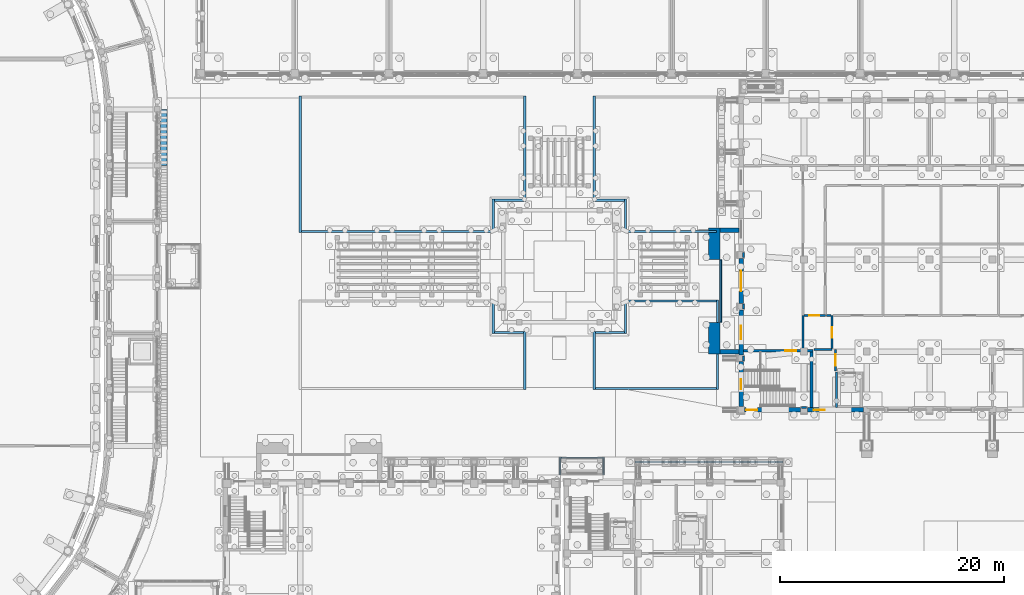
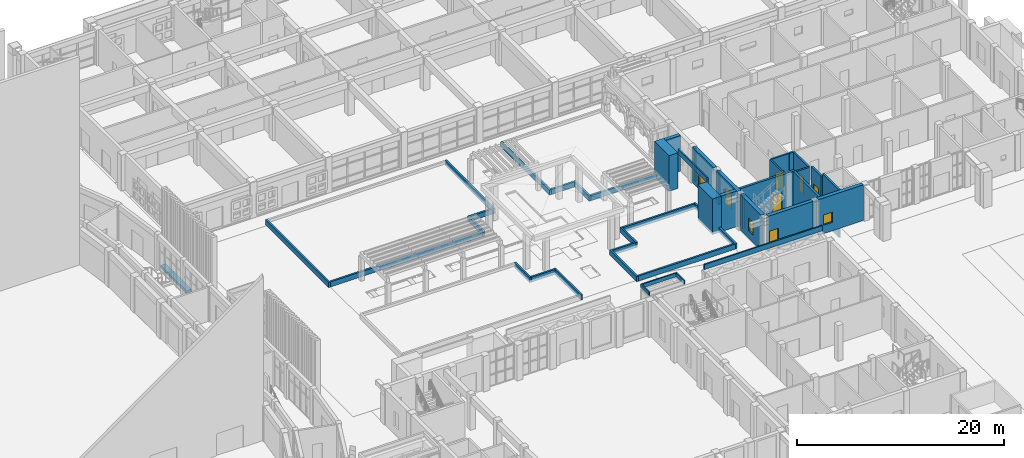
# One storey, part 67 of 112: 48 walls, 6 doors, 3 windows, 9 openings.
"""IFC4 building model written with IfcOpenShell, lengths in metres."""

from ifc_helpers import new_model, si_unit, direction, frame, frame_2d, origin, place, context, subcontext, project, spatial, rectangle, extrude, material, layer, layer_set, type_object, element, fill, save


model = new_model("IFC4")

# Units and contexts
model_context = context("Model", 3, precision=1e-05, world=origin(), true_north=direction((0.0, 1.0)))
body_context = subcontext(model_context, "Body", "Model", "MODEL_VIEW")
ifc_project = project(units=[si_unit("LENGTHUNIT", "METRE"), si_unit("AREAUNIT", "SQUARE_METRE"), si_unit("VOLUMEUNIT", "CUBIC_METRE"), si_unit("PLANEANGLEUNIT", "RADIAN"), si_unit("MASSUNIT", "GRAM", prefix="KILO")], contexts=[model_context])

# Site, building, storey
site_placement = place(None, origin())
site = spatial("IfcSite", under=ifc_project, at=site_placement, CompositionType="ELEMENT")
building_placement = place(site_placement, origin())
building = spatial("IfcBuilding", under=site, at=building_placement, Name="Wasatch Bagh Community Centre", CompositionType="ELEMENT")
storey_placement = place(building_placement, origin())
storey = spatial("IfcBuildingStorey", under=building, at=storey_placement, Name="L00", CompositionType="ELEMENT", Elevation=0.0)

# Walls
ifc_material_1 = material(Name="Concrete C35", Category="concrete")
ifc_layer_1 = layer(ifc_material_1, 0.14990234375)
ifc_layer_set_1 = layer_set([ifc_layer_1], Name="Concrete C35")
wall_type_1 = type_object("IfcWallType", Name="CL-W2", PredefinedType="PARAPET", material=ifc_layer_set_1)
wall_1_placement = place(storey_placement, frame((102.77490234375, 33.550048828125, 4.050048828125), z_axis=(0.0, 0.0, 1.0), x_axis=(1.0, 0.0, 0.0)))
element("IfcWall", 1, at=wall_1_placement, inside=storey, type_object=wall_type_1, Name="CL-W2 arcade parapet KW 1", PredefinedType="PARAPET", context=body_context, shape_type="SweptSolid", body=[
    extrude(rectangle(XDim=13.150146484375, YDim=0.14990234375, at=frame_2d((6.5751953125, 0.0))), origin(), (0.0, 0.0, 1.0), 0.599853515625),
])
wall_2_placement = place(storey_placement, frame((110.375, 46.0, 4.050048828125), z_axis=(0.0, 0.0, 1.0), x_axis=(0.0, 1.0, 0.0)))
element("IfcWall", 2, at=wall_2_placement, inside=storey, type_object=wall_type_1, Name="CL-W2 porch parapet", PredefinedType="PARAPET", context=body_context, shape_type="SweptSolid", body=[
    extrude(rectangle(XDim=5.60009765625, YDim=0.14990234375, at=frame_2d((2.800048828125, 0.0))), origin(), (0.0, 0.0, 1.0), 0.599853515625),
])
ifc_material_2 = material(Name="Concrete C35 faced in red sandstone", Category="masonry")
ifc_layer_2 = layer(ifc_material_2, 0.669921875)
ifc_layer_set_2 = layer_set([ifc_layer_2], Name="Concrete C35 faced in red sandstone")
wall_type_2 = type_object("IfcWallType", Name="Drum sandstone plinth", PredefinedType="STANDARD", material=ifc_layer_set_2)
wall_3_placement = place(storey_placement, frame((60.719970703125, 60.0, 0.0), z_axis=(0.0, 0.0, 1.0), x_axis=(0.0, 1.0, 0.0)))
element("IfcWall", 3, at=wall_3_placement, inside=storey, type_object=wall_type_2, Name="Sandstone plinth 18", PredefinedType="STANDARD", context=body_context, shape_type="SweptSolid", body=[
    extrude(rectangle(XDim=5.0, YDim=0.56005859375, at=frame_2d((2.5, 0.0))), origin(), (0.0, 0.0, 1.0), 0.300048828125),
])
ifc_layer_3 = layer(ifc_material_1, 0.1298828125)
ifc_layer_set_3 = layer_set([ifc_layer_3], Name="Concrete C35")
wall_type_3 = type_object("IfcWallType", Name="PA-W2", PredefinedType="PARAPET", material=ifc_layer_set_3)
for number, where, z_axis, x_axis, name in (
    (4, (96.06494140625, 32.39990234375, 4.0), (0.0, 0.0, 1.0), (0.0, 1.0, 0.0), "PA-W2 roof parapet PA4.1"),
    (5, (99.93505859375, 32.39990234375, 4.0), (0.0, 0.0, 1.0), (0.0, 1.0, 0.0), "PA-W2 roof parapet PA4.2"),
):
    element("IfcWall", number, at=place(storey_placement, frame(where, z_axis=z_axis, x_axis=x_axis)), inside=storey, type_object=wall_type_3, Name=name, PredefinedType="PARAPET", context=body_context, shape_type="SweptSolid", body=[
        extrude(rectangle(XDim=1.60009765625, YDim=0.1298828125, at=frame_2d((0.800048828125, 0.0))), origin(), (0.0, 0.0, 1.0), 0.449951171875),
    ])
wall_4_placement = place(storey_placement, frame((96.1298828125, 33.93505859375, 4.0), z_axis=(0.0, 0.0, 1.0), x_axis=(1.0, 0.0, 0.0)))
element("IfcWall", 6, at=wall_4_placement, inside=storey, type_object=wall_type_3, Name="PA-W2 roof parapet PA4.4", PredefinedType="PARAPET", context=body_context, shape_type="SweptSolid", body=[
    extrude(rectangle(XDim=3.740234375, YDim=0.1298828125, at=frame_2d((1.8701171875, 0.0))), origin(), (0.0, 0.0, 1.0), 0.449951171875),
])
ifc_material_3 = material(Name="Concrete C40", Category="concrete")
ifc_layer_4 = layer(ifc_material_3, 0.199951171875)
ifc_layer_set_4 = layer_set([ifc_layer_4], Name="Concrete C40")
wall_type_4 = type_object("IfcWallType", Name="SH RC WALL 200 shear", PredefinedType="SHEAR", material=ifc_layer_set_4)
wall_5_placement = place(storey_placement, frame((120.699951171875, 38.39990234375, 0.0), z_axis=(0.0, 0.0, 1.0), x_axis=(0.0, 1.0, 0.0)))
element("IfcWall", 7, at=wall_5_placement, inside=storey, type_object=wall_type_4, Name="SH.core.LF1.L00.W", PredefinedType="SHEAR", context=body_context, shape_type="SweptSolid", body=[
    extrude(rectangle(XDim=3.2001953125, YDim=0.199951171875, at=frame_2d((1.60009765625, 0.0))), origin(), (0.0, 0.0, 1.0), 4.199951171875),
])
wall_6_placement = place(storey_placement, frame((120.699951171875, 38.39990234375, -1.39990234375), z_axis=(0.0, 0.0, 1.0), x_axis=(0.0, 1.0, 0.0)))
element("IfcWall", 8, at=wall_6_placement, inside=storey, type_object=wall_type_4, Name="SH.core.LF1.PIT.W", PredefinedType="SHEAR", context=body_context, shape_type="SweptSolid", body=[
    extrude(rectangle(XDim=3.2001953125, YDim=0.199951171875, at=frame_2d((1.60009765625, 0.0))), origin(), (0.0, 0.0, 1.0), 1.39990234375),
])
ifc_layer_5 = layer(ifc_material_3, 0.25)
ifc_layer_set_5 = layer_set([ifc_layer_5], Name="Concrete C40")
wall_type_5 = type_object("IfcWallType", Name="SH RC WALL 250 shear", PredefinedType="SHEAR", material=ifc_layer_set_5)
wall_7_placement = place(storey_placement, frame((118.47509765625, 38.39990234375, 0.0), z_axis=(0.0, 0.0, 1.0), x_axis=(0.0, 1.0, 0.0)))
element("IfcWall", 9, at=wall_7_placement, inside=storey, type_object=wall_type_5, Name="SH.core.ST1.L00.E", PredefinedType="SHEAR", context=body_context, shape_type="SweptSolid", body=[
    extrude(rectangle(XDim=4.9501953125, YDim=0.25, at=frame_2d((2.47509765625, 0.0))), origin(), (0.0, 0.0, 1.0), 4.199951171875),
])

# Wall, opening, door
wall_8_placement = place(storey_placement, frame((112.39990234375, 43.47509765625, 0.0), z_axis=(0.0, 0.0, 1.0), x_axis=(1.0, 0.0, 0.0)))
wall_8 = element("IfcWall", 10, at=wall_8_placement, inside=storey, type_object=wall_type_5, Name="SH.core.ST1.L00.N", PredefinedType="SHEAR", context=body_context, shape_type="SweptSolid", body=[
    extrude(rectangle(XDim=6.2001953125, YDim=0.25, at=frame_2d((3.10009765625, 0.0))), origin(), (0.0, 0.0, 1.0), 4.199951171875),
])
opening_1_placement = place(wall_8_placement, frame((3.71435546875, 0.0, 0.0)))
opening_1 = element("IfcOpeningElement", 11, at=opening_1_placement, cuts=wall_8, Name="Opening 0S-13", PredefinedType="OPENING", context=body_context, shape_type="SweptSolid", body=[
    extrude(rectangle(XDim=1.0, YDim=2.10009765625, at=frame_2d((0.5, 1.050048828125))), frame((0.0, 0.135009765625, 0.0), z_axis=(0.0, -1.0, 0.0), x_axis=(1.0, 0.0, 0.0)), (0.0, 0.0, 1.0), 0.27001953125),
])
ifc_material_4 = material(Name="Painted hardwood timber", Category="wood")
door_type_1 = type_object("IfcDoorType", Name="SH door 1000x2100 single", OperationType="SINGLE_SWING_LEFT", PredefinedType="DOOR", material=ifc_material_4)
door_1_placement = place(opening_1_placement, origin())
door_1 = element("IfcDoor", 12, at=door_1_placement, inside=storey, type_object=door_type_1, Name="SH.door.L00.0S-13", OperationType="SINGLE_SWING_LEFT", OverallHeight=2.10009765625, OverallWidth=1.0, PredefinedType="DOOR", context=body_context, shape_type="SweptSolid", body=[
    extrude(rectangle(XDim=1.0, YDim=2.10009765625, at=frame_2d((0.5, 1.050048828125))), frame((0.0, 0.02490234375, 0.0), z_axis=(0.0, -1.0, 0.0), x_axis=(1.0, 0.0, 0.0)), (0.0, 0.0, 1.0), 0.050048828125),
])
fill(opening_1, door_1)

ifc_layer_6 = layer(ifc_material_3, 0.39990234375)
ifc_layer_set_6 = layer_set([ifc_layer_6], Name="Concrete C40")
wall_type_6 = type_object("IfcWallType", Name="SH RC WALL 400 solidwall", PredefinedType="SOLIDWALL", material=ifc_layer_set_6)
wall_9_placement = place(storey_placement, frame((117.5, 38.199951171875, 0.0), z_axis=(0.0, 0.0, 1.0), x_axis=(-1.0, 0.0, 0.0)))
wall_9 = element("IfcWall", 13, at=wall_9_placement, inside=storey, type_object=wall_type_6, Name="SH.wall.L00.01", PredefinedType="SOLIDWALL", context=body_context, shape_type="SweptSolid", body=[
    extrude(rectangle(XDim=5.0, YDim=0.39990234375, at=frame_2d((2.5, 0.0))), origin(), (0.0, 0.0, 1.0), 4.199951171875),
])
opening_2_placement = place(wall_9_placement, frame((3.85009765625, 0.0, 0.0)))
opening_2 = element("IfcOpeningElement", 14, at=opening_2_placement, cuts=wall_9, Name="Opening 0S-03", PredefinedType="OPENING", context=body_context, shape_type="SweptSolid", body=[
    extrude(rectangle(XDim=1.0, YDim=2.39990234375, at=frame_2d((0.5, 1.199951171875))), frame((0.0, 0.2099609375, 0.0), z_axis=(0.0, -1.0, 0.0), x_axis=(1.0, 0.0, 0.0)), (0.0, 0.0, 1.0), 0.419921875),
])
door_type_2 = type_object("IfcDoorType", Name="SH door 1000x2400 single", OperationType="SINGLE_SWING_LEFT", PredefinedType="DOOR", material=ifc_material_4)
door_2_placement = place(opening_2_placement, origin())
door_2 = element("IfcDoor", 15, at=door_2_placement, inside=storey, type_object=door_type_2, Name="SH.door.L00.0S-03", OperationType="SINGLE_SWING_LEFT", OverallHeight=2.39990234375, OverallWidth=1.0, PredefinedType="DOOR", context=body_context, shape_type="SweptSolid", body=[
    extrude(rectangle(XDim=1.0, YDim=2.39990234375, at=frame_2d((0.5, 1.199951171875))), frame((0.0, 0.02490234375, 0.0), z_axis=(0.0, -1.0, 0.0), x_axis=(1.0, 0.0, 0.0)), (0.0, 0.0, 1.0), 0.050048828125),
])
fill(opening_2, door_2)

# Wall, opening, window
wall_10_placement = place(storey_placement, frame((123.10009765625, 38.199951171875, 0.0), z_axis=(0.0, 0.0, 1.0), x_axis=(-1.0, 0.0, 0.0)))
wall_10 = element("IfcWall", 16, at=wall_10_placement, inside=storey, type_object=wall_type_6, Name="SH.wall.L00.02", PredefinedType="SOLIDWALL", context=body_context, shape_type="SweptSolid", body=[
    extrude(rectangle(XDim=5.0, YDim=0.39990234375, at=frame_2d((2.5, 0.0))), origin(), (0.0, 0.0, 1.0), 4.199951171875),
])
opening_3_placement = place(wall_10_placement, frame((3.449951171875, 0.0, 1.0)))
opening_3 = element("IfcOpeningElement", 17, at=opening_3_placement, cuts=wall_10, Name="Opening 0S-W06", PredefinedType="OPENING", context=body_context, shape_type="SweptSolid", body=[
    extrude(rectangle(XDim=1.0, YDim=1.199951171875, at=frame_2d((0.5, 0.60009765625))), frame((0.0, 0.2099609375, 0.0), z_axis=(0.0, -1.0, 0.0), x_axis=(1.0, 0.0, 0.0)), (0.0, 0.0, 1.0), 0.419921875),
])
ifc_material_5 = material(Name="Aluminium frame with double glazing", Category="aluminium")
window_type_1 = type_object("IfcWindowType", Name="SH window 1000x1200", PartitioningType="SINGLE_PANEL", PredefinedType="WINDOW", material=ifc_material_5)
window_1_placement = place(opening_3_placement, origin())
window_1 = element("IfcWindow", 18, at=window_1_placement, inside=storey, type_object=window_type_1, Name="SH.window.L00.0S-W06", OverallHeight=1.199951171875, OverallWidth=1.0, PartitioningType="SINGLE_PANEL", PredefinedType="WINDOW", context=body_context, shape_type="SweptSolid", body=[
    extrude(rectangle(XDim=1.0, YDim=1.199951171875, at=frame_2d((0.5, 0.60009765625))), frame((0.0, 0.030029296875, 0.0), z_axis=(0.0, -1.0, 0.0), x_axis=(1.0, 0.0, 0.0)), (0.0, 0.0, 1.0), 0.06005859375),
])
fill(opening_3, window_1)

wall_11_placement = place(storey_placement, frame((112.199951171875, 38.5, 0.0), z_axis=(0.0, 0.0, 1.0), x_axis=(0.0, 1.0, 0.0)))
wall_11 = element("IfcWall", 19, at=wall_11_placement, inside=storey, type_object=wall_type_6, Name="SH.wall.L00.13", PredefinedType="SOLIDWALL", context=body_context, shape_type="SweptSolid", body=[
    extrude(rectangle(XDim=4.0, YDim=0.39990234375, at=frame_2d((2.0, 0.0))), origin(), (0.0, 0.0, 1.0), 4.199951171875),
])
opening_4_placement = place(wall_11_placement, frame((1.550048828125, 0.0, 0.89990234375)))
opening_4 = element("IfcOpeningElement", 20, at=opening_4_placement, cuts=wall_11, Name="Opening 0S-W09", PredefinedType="OPENING", context=body_context, shape_type="SweptSolid", body=[
    extrude(rectangle(XDim=0.89990234375, YDim=1.5, at=frame_2d((0.449951171875, 0.75))), frame((0.0, 0.2099609375, 0.0), z_axis=(0.0, -1.0, 0.0), x_axis=(1.0, 0.0, 0.0)), (0.0, 0.0, 1.0), 0.419921875),
])
window_type_2 = type_object("IfcWindowType", Name="SH window 900x1500", PartitioningType="SINGLE_PANEL", PredefinedType="WINDOW", material=ifc_material_5)
window_2_placement = place(opening_4_placement, origin())
window_2 = element("IfcWindow", 21, at=window_2_placement, inside=storey, type_object=window_type_2, Name="SH.window.L00.0S-W09", OverallHeight=1.5, OverallWidth=0.89990234375, PartitioningType="SINGLE_PANEL", PredefinedType="WINDOW", context=body_context, shape_type="SweptSolid", body=[
    extrude(rectangle(XDim=0.89990234375, YDim=1.5, at=frame_2d((0.449951171875, 0.75))), frame((0.0, 0.030029296875, 0.0), z_axis=(0.0, -1.0, 0.0), x_axis=(1.0, 0.0, 0.0)), (0.0, 0.0, 1.0), 0.06005859375),
])
fill(opening_4, window_2)

wall_12_placement = place(storey_placement, frame((112.199951171875, 43.10009765625, 0.0), z_axis=(0.0, 0.0, 1.0), x_axis=(0.0, 1.0, 0.0)))
wall_12 = element("IfcWall", 22, at=wall_12_placement, inside=storey, type_object=wall_type_6, Name="SH.wall.L00.14", PredefinedType="SOLIDWALL", context=body_context, shape_type="SweptSolid", body=[
    extrude(rectangle(XDim=4.0, YDim=0.39990234375, at=frame_2d((2.0, 0.0))), origin(), (0.0, 0.0, 1.0), 4.199951171875),
])
opening_5_placement = place(wall_12_placement, frame((1.39990234375, 0.0, 1.199951171875)))
opening_5 = element("IfcOpeningElement", 23, at=opening_5_placement, cuts=wall_12, Name="Opening 0S-W12", PredefinedType="OPENING", context=body_context, shape_type="SweptSolid", body=[
    extrude(rectangle(XDim=1.199951171875, YDim=1.800048828125, at=frame_2d((0.60009765625, 0.89990234375))), frame((0.0, 0.2099609375, 0.0), z_axis=(0.0, -1.0, 0.0), x_axis=(1.0, 0.0, 0.0)), (0.0, 0.0, 1.0), 0.419921875),
])
window_type_3 = type_object("IfcWindowType", Name="SH window 1200x1800", PartitioningType="SINGLE_PANEL", PredefinedType="WINDOW", material=ifc_material_5)
window_3_placement = place(opening_5_placement, origin())
window_3 = element("IfcWindow", 24, at=window_3_placement, inside=storey, type_object=window_type_3, Name="SH.window.L00.0S-W12", OverallHeight=1.800048828125, OverallWidth=1.199951171875, PartitioningType="SINGLE_PANEL", PredefinedType="WINDOW", context=body_context, shape_type="SweptSolid", body=[
    extrude(rectangle(XDim=1.199951171875, YDim=1.800048828125, at=frame_2d((0.60009765625, 0.89990234375))), frame((0.0, 0.030029296875, 0.0), z_axis=(0.0, -1.0, 0.0), x_axis=(1.0, 0.0, 0.0)), (0.0, 0.0, 1.0), 0.06005859375),
])
fill(opening_5, window_3)

# Wall, opening, door
wall_13_placement = place(storey_placement, frame((112.199951171875, 47.699951171875, 0.0), z_axis=(0.0, 0.0, 1.0), x_axis=(0.0, 1.0, 0.0)))
wall_13 = element("IfcWall", 25, at=wall_13_placement, inside=storey, type_object=wall_type_6, Name="SH.wall.L00.15", PredefinedType="SOLIDWALL", context=body_context, shape_type="SweptSolid", body=[
    extrude(rectangle(XDim=4.0, YDim=0.39990234375, at=frame_2d((2.0, 0.0))), origin(), (0.0, 0.0, 1.0), 4.199951171875),
])
opening_6_placement = place(wall_13_placement, frame((1.10009765625, 0.0, 0.0)))
opening_6 = element("IfcOpeningElement", 26, at=opening_6_placement, cuts=wall_13, Name="Opening 0S-06", PredefinedType="OPENING", context=body_context, shape_type="SweptSolid", body=[
    extrude(rectangle(XDim=1.800048828125, YDim=2.10009765625, at=frame_2d((0.89990234375, 1.050048828125))), frame((0.0, 0.2099609375, 0.0), z_axis=(0.0, -1.0, 0.0), x_axis=(1.0, 0.0, 0.0)), (0.0, 0.0, 1.0), 0.419921875),
])
ifc_material_6 = material(Name="Aluminium frame and glass", Category="aluminium")
door_type_3 = type_object("IfcDoorType", Name="SH door 1800x2100 double", OperationType="DOUBLE_DOOR_SINGLE_SWING", PredefinedType="DOOR", material=ifc_material_6)
door_3_placement = place(opening_6_placement, origin())
door_3 = element("IfcDoor", 27, at=door_3_placement, inside=storey, type_object=door_type_3, Name="SH.door.L00.0S-06", OperationType="DOUBLE_DOOR_SINGLE_SWING", OverallHeight=2.10009765625, OverallWidth=1.800048828125, PredefinedType="DOOR", context=body_context, shape_type="SweptSolid", body=[
    extrude(rectangle(XDim=1.800048828125, YDim=2.10009765625, at=frame_2d((0.89990234375, 1.050048828125))), frame((0.0, 0.02490234375, 0.0), z_axis=(0.0, -1.0, 0.0), x_axis=(1.0, 0.0, 0.0)), (0.0, 0.0, 1.0), 0.050048828125),
])
fill(opening_6, door_3)

# Walls
ifc_material_7 = material(Name="Hollow block masonry, medium weight (ASTM Grade N)", Category="masonry")
ifc_layer_7 = layer(ifc_material_7, 0.18994140625)
ifc_layer_set_7 = layer_set([ifc_layer_7], Name="Hollow block masonry, medium weight (ASTM Grade N)")
wall_type_7 = type_object("IfcWallType", Name="SH partition 190", PredefinedType="PARTITIONING", material=ifc_layer_set_7)
wall_14_placement = place(storey_placement, frame((112.39990234375, 43.02001953125, 0.0), z_axis=(0.0, 0.0, 1.0), x_axis=(0.0, -1.0, 0.0)))
element("IfcWall", 28, at=wall_14_placement, inside=storey, type_object=wall_type_7, Name="SH.part.L00.001", PredefinedType="PARTITIONING", context=body_context, shape_type="SweptSolid", body=[
    extrude(rectangle(XDim=0.43994140625, YDim=0.18994140625, at=frame_2d((0.219970703125, 0.0))), origin(), (0.0, 0.0, 1.0), 3.89990234375),
])
wall_15_placement = place(storey_placement, frame((112.39990234375, 47.6201171875, 0.0), z_axis=(0.0, 0.0, 1.0), x_axis=(0.0, -1.0, 0.0)))
element("IfcWall", 29, at=wall_15_placement, inside=storey, type_object=wall_type_7, Name="SH.part.L00.002", PredefinedType="PARTITIONING", context=body_context, shape_type="SweptSolid", body=[
    extrude(rectangle(XDim=0.440185546875, YDim=0.18994140625, at=frame_2d((0.22021484375, 0.0))), origin(), (0.0, 0.0, 1.0), 3.89990234375),
])
for number, where, z_axis, x_axis, name in (
    (30, (112.39990234375, 52.219970703125, 0.0), (0.0, 0.0, 1.0), (0.0, -1.0, 0.0), "SH.part.L00.003"),
    (31, (117.580078125, 38.39990234375, 0.0), (0.0, 0.0, 1.0), (1.0, 0.0, 0.0), "SH.part.L00.006"),
):
    element("IfcWall", number, at=place(storey_placement, frame(where, z_axis=z_axis, x_axis=x_axis)), inside=storey, type_object=wall_type_7, Name=name, PredefinedType="PARTITIONING", context=body_context, shape_type="SweptSolid", body=[
        extrude(rectangle(XDim=0.43994140625, YDim=0.18994140625, at=frame_2d((0.219970703125, 0.0))), origin(), (0.0, 0.0, 1.0), 3.89990234375),
    ])
wall_16_placement = place(storey_placement, frame((117.699951171875, 43.679931640625, 0.0), z_axis=(0.0, 0.0, 1.0), x_axis=(0.0, 1.0, 0.0)))
element("IfcWall", 32, at=wall_16_placement, inside=storey, type_object=wall_type_7, Name="SH.part.L00.008", PredefinedType="PARTITIONING", context=body_context, shape_type="SweptSolid", body=[
    extrude(rectangle(XDim=2.920166015625, YDim=0.18994140625, at=frame_2d((1.4599609375, 0.0))), origin(), (0.0, 0.0, 1.0), 3.89990234375),
])

# Wall, opening, door
wall_17_placement = place(storey_placement, frame((119.699951171875, 46.60009765625, 0.0), z_axis=(0.0, 0.0, 1.0), x_axis=(-1.0, 0.0, 0.0)))
wall_17 = element("IfcWall", 33, at=wall_17_placement, inside=storey, type_object=wall_type_7, Name="SH.part.L00.012", PredefinedType="PARTITIONING", context=body_context, shape_type="SweptSolid", body=[
    extrude(rectangle(XDim=1.905029296875, YDim=0.18994140625, at=frame_2d((0.95263671875, 0.0))), origin(), (0.0, 0.0, 1.0), 3.89990234375),
])
opening_7_placement = place(wall_17_placement, frame((0.550048828125, 0.0, 0.0)))
opening_7 = element("IfcOpeningElement", 34, at=opening_7_placement, cuts=wall_17, Name="Opening 0S-17", PredefinedType="OPENING", context=body_context, shape_type="SweptSolid", body=[
    extrude(rectangle(XDim=0.89990234375, YDim=2.10009765625, at=frame_2d((0.449951171875, 1.050048828125))), frame((0.0, 0.10498046875, 0.0), z_axis=(0.0, -1.0, 0.0), x_axis=(1.0, 0.0, 0.0)), (0.0, 0.0, 1.0), 0.2099609375),
])
door_type_4 = type_object("IfcDoorType", Name="SH door 900x2100 single", OperationType="SINGLE_SWING_LEFT", PredefinedType="DOOR", material=ifc_material_4)
door_4_placement = place(opening_7_placement, origin())
door_4 = element("IfcDoor", 35, at=door_4_placement, inside=storey, type_object=door_type_4, Name="SH.door.L00.0S-17", OperationType="SINGLE_SWING_LEFT", OverallHeight=2.10009765625, OverallWidth=0.89990234375, PredefinedType="DOOR", context=body_context, shape_type="SweptSolid", body=[
    extrude(rectangle(XDim=0.89990234375, YDim=2.10009765625, at=frame_2d((0.449951171875, 1.050048828125))), frame((0.0, 0.02490234375, 0.0), z_axis=(0.0, -1.0, 0.0), x_axis=(1.0, 0.0, 0.0)), (0.0, 0.0, 1.0), 0.050048828125),
])
fill(opening_7, door_4)

# Walls
wall_18_placement = place(storey_placement, frame((120.205078125, 46.60009765625, 0.0), z_axis=(0.0, 0.0, 1.0), x_axis=(-1.0, 0.0, 0.0)))
element("IfcWall", 36, at=wall_18_placement, inside=storey, type_object=wall_type_7, Name="SH.part.L00.015", PredefinedType="PARTITIONING", context=body_context, shape_type="SweptSolid", body=[
    extrude(rectangle(XDim=0.41015625, YDim=0.18994140625, at=frame_2d((0.205078125, 0.0))), origin(), (0.0, 0.0, 1.0), 3.89990234375),
])
wall_19_placement = place(storey_placement, frame((120.300048828125, 43.60009765625, 0.0), z_axis=(0.0, 0.0, 1.0), x_axis=(-1.0, 0.0, 0.0)))
element("IfcWall", 37, at=wall_19_placement, inside=storey, type_object=wall_type_7, Name="SH.part.L00.016", PredefinedType="PARTITIONING", context=body_context, shape_type="SweptSolid", body=[
    extrude(rectangle(XDim=1.6201171875, YDim=0.18994140625, at=frame_2d((0.81005859375, 0.0))), origin(), (0.0, 0.0, 1.0), 3.89990234375),
])

# Wall, opening, door
wall_20_placement = place(storey_placement, frame((120.300048828125, 43.695068359375, 0.0), z_axis=(0.0, 0.0, 1.0), x_axis=(0.0, 1.0, 0.0)))
wall_20 = element("IfcWall", 38, at=wall_20_placement, inside=storey, type_object=wall_type_7, Name="SH.part.L00.017", PredefinedType="PARTITIONING", context=body_context, shape_type="SweptSolid", body=[
    extrude(rectangle(XDim=2.905029296875, YDim=0.18994140625, at=frame_2d((1.45263671875, 0.0))), origin(), (0.0, 0.0, 1.0), 3.89990234375),
])
opening_8_placement = place(wall_20_placement, frame((0.955078125, 0.0, 0.0)))
opening_8 = element("IfcOpeningElement", 39, at=opening_8_placement, cuts=wall_20, Name="Opening 0S-16", PredefinedType="OPENING", context=body_context, shape_type="SweptSolid", body=[
    extrude(rectangle(XDim=0.89990234375, YDim=2.10009765625, at=frame_2d((0.449951171875, 1.050048828125))), frame((0.0, 0.10498046875, 0.0), z_axis=(0.0, -1.0, 0.0), x_axis=(1.0, 0.0, 0.0)), (0.0, 0.0, 1.0), 0.2099609375),
])
door_5_placement = place(opening_8_placement, origin())
door_5 = element("IfcDoor", 40, at=door_5_placement, inside=storey, type_object=door_type_4, Name="SH.door.L00.0S-16", OperationType="SINGLE_SWING_LEFT", OverallHeight=2.10009765625, OverallWidth=0.89990234375, PredefinedType="DOOR", context=body_context, shape_type="SweptSolid", body=[
    extrude(rectangle(XDim=0.89990234375, YDim=2.10009765625, at=frame_2d((0.449951171875, 1.050048828125))), frame((0.0, 0.02490234375, 0.0), z_axis=(0.0, -1.0, 0.0), x_axis=(1.0, 0.0, 0.0)), (0.0, 0.0, 1.0), 0.050048828125),
])
fill(opening_8, door_5)

wall_21_placement = place(storey_placement, frame((120.60009765625, 41.679931640625, 0.0), z_axis=(0.0, 0.0, 1.0), x_axis=(0.0, 1.0, 0.0)))
wall_21 = element("IfcWall", 41, at=wall_21_placement, inside=storey, type_object=wall_type_7, Name="SH.part.L00.018", PredefinedType="PARTITIONING", context=body_context, shape_type="SweptSolid", body=[
    extrude(rectangle(XDim=1.900146484375, YDim=0.18994140625, at=frame_2d((0.9501953125, 0.0))), origin(), (0.0, 0.0, 1.0), 3.89990234375),
])
opening_9_placement = place(wall_21_placement, frame((0.469970703125, 0.0, 0.0)))
opening_9 = element("IfcOpeningElement", 42, at=opening_9_placement, cuts=wall_21, Name="Opening 0S-09", PredefinedType="OPENING", context=body_context, shape_type="SweptSolid", body=[
    extrude(rectangle(XDim=1.0, YDim=2.10009765625, at=frame_2d((0.5, 1.050048828125))), frame((0.0, 0.10498046875, 0.0), z_axis=(0.0, -1.0, 0.0), x_axis=(1.0, 0.0, 0.0)), (0.0, 0.0, 1.0), 0.2099609375),
])
door_6_placement = place(opening_9_placement, origin())
door_6 = element("IfcDoor", 43, at=door_6_placement, inside=storey, type_object=door_type_1, Name="SH.door.L00.0S-09", OperationType="SINGLE_SWING_LEFT", OverallHeight=2.10009765625, OverallWidth=1.0, PredefinedType="DOOR", context=body_context, shape_type="SweptSolid", body=[
    extrude(rectangle(XDim=1.0, YDim=2.10009765625, at=frame_2d((0.5, 1.050048828125))), frame((0.0, 0.02490234375, 0.0), z_axis=(0.0, -1.0, 0.0), x_axis=(1.0, 0.0, 0.0)), (0.0, 0.0, 1.0), 0.050048828125),
])
fill(opening_9, door_6)

# Walls
ifc_layer_8 = layer(ifc_material_3, 0.39990234375)
ifc_layer_set_8 = layer_set([ifc_layer_8], Name="Concrete C40")
wall_type_8 = type_object("IfcWallType", Name="SHPQ-W5", PredefinedType="STANDARD", material=ifc_layer_set_8)
for number, where, z_axis, x_axis, name in (
    (44, (110.300048828125, 43.39990234375, 0.0), (0.0, 0.0, 1.0), (1.0, 0.0, 0.0), "SHPQ-W5 pishtaq return wall W"),
    (45, (110.300048828125, 54.199951171875, 0.0), (0.0, 0.0, 1.0), (1.0, 0.0, 0.0), "SHPQ-W5 pishtaq return wall E"),
):
    element("IfcWall", number, at=place(storey_placement, frame(where, z_axis=z_axis, x_axis=x_axis)), inside=storey, type_object=wall_type_8, Name=name, PredefinedType="STANDARD", context=body_context, shape_type="SweptSolid", body=[
        extrude(rectangle(XDim=1.699951171875, YDim=0.39990234375, at=frame_2d((0.85009765625, 0.0))), origin(), (0.0, 0.0, 1.0), 4.199951171875),
    ])
ifc_layer_9 = layer(ifc_material_3, 1.0)
ifc_layer_set_9 = layer_set([ifc_layer_9], Name="Concrete C40")
wall_type_9 = type_object("IfcWallType", Name="SHPQ-W6", PredefinedType="STANDARD", material=ifc_layer_set_9)
wall_22_placement = place(storey_placement, frame((109.800048828125, 43.199951171875, 0.0), z_axis=(0.0, 0.0, 1.0), x_axis=(0.0, 1.0, 0.0)))
element("IfcWall", 46, at=wall_22_placement, inside=storey, type_object=wall_type_9, Name="SHPQ-W6 iwan pier panel", PredefinedType="STANDARD", context=body_context, shape_type="SweptSolid", body=[
    extrude(rectangle(XDim=2.800048828125, YDim=1.0, at=frame_2d((1.39990234375, 0.0))), origin(), (0.0, 0.0, 1.0), 4.199951171875),
])
wall_23_placement = place(storey_placement, frame((109.800048828125, 54.39990234375, 0.0), z_axis=(0.0, 0.0, 1.0), x_axis=(0.0, -1.0, 0.0)))
element("IfcWall", 47, at=wall_23_placement, inside=storey, type_object=wall_type_9, Name="SHPQ-W6 iwan pier panel", PredefinedType="STANDARD", context=body_context, shape_type="SweptSolid", body=[
    extrude(rectangle(XDim=2.7998046875, YDim=1.0, at=frame_2d((1.39990234375, 0.0))), origin(), (0.0, 0.0, 1.0), 4.199951171875),
])
ifc_material_8 = material(Name="Concrete C30", Category="concrete")
ifc_layer_10 = layer(ifc_material_8, 0.199951171875)
ifc_layer_set_10 = layer_set([ifc_layer_10], Name="Concrete C30")
wall_type_10 = type_object("IfcWallType", Name="SITE-K1", PredefinedType="SOLIDWALL", material=ifc_layer_set_10)
wall_24_placement = place(storey_placement, frame((102.0, 54.10009765625, 0.0), z_axis=(0.0, 0.0, 1.0), x_axis=(1.0, 0.0, 0.0)))
element("IfcWall", 48, at=wall_24_placement, inside=storey, type_object=wall_type_10, Name="Raised bed kerb - Garden quadrant NE", PredefinedType="SOLIDWALL", context=body_context, shape_type="SweptSolid", body=[
    extrude(rectangle(XDim=8.0, YDim=0.199951171875, at=frame_2d((4.0, 0.0))), origin(), (0.0, 0.0, 1.0), 0.60009765625),
])
wall_25_placement = place(storey_placement, frame((101.89990234375, 54.0, 0.0), z_axis=(0.0, 0.0, 1.0), x_axis=(0.0, 1.0, 0.0)))
element("IfcWall", 49, at=wall_25_placement, inside=storey, type_object=wall_type_10, Name="Raised bed kerb - Garden quadrant NE", PredefinedType="SOLIDWALL", context=body_context, shape_type="SweptSolid", body=[
    extrude(rectangle(XDim=3.0, YDim=0.199951171875, at=frame_2d((1.5, 0.0))), origin(), (0.0, 0.0, 1.0), 0.60009765625),
])
wall_26_placement = place(storey_placement, frame((99.199951171875, 56.89990234375, 0.0), z_axis=(0.0, 0.0, 1.0), x_axis=(1.0, 0.0, 0.0)))
element("IfcWall", 50, at=wall_26_placement, inside=storey, type_object=wall_type_10, Name="Raised bed kerb - Garden quadrant NE", PredefinedType="SOLIDWALL", context=body_context, shape_type="SweptSolid", body=[
    extrude(rectangle(XDim=2.60009765625, YDim=0.199951171875, at=frame_2d((1.300048828125, 0.0))), origin(), (0.0, 0.0, 1.0), 0.60009765625),
])
for number, where, z_axis, x_axis, name in (
    (51, (99.10009765625, 56.800048828125, 0.0), (0.0, 0.0, 1.0), (0.0, 1.0, 0.0), "Raised bed kerb - Garden quadrant NE"),
    (52, (92.89990234375, 56.800048828125, 0.0), (0.0, 0.0, 1.0), (0.0, 1.0, 0.0), "Raised bed kerb - Garden quadrant NW"),
):
    element("IfcWall", number, at=place(storey_placement, frame(where, z_axis=z_axis, x_axis=x_axis)), inside=storey, type_object=wall_type_10, Name=name, PredefinedType="SOLIDWALL", context=body_context, shape_type="SweptSolid", body=[
        extrude(rectangle(XDim=9.39990234375, YDim=0.199951171875, at=frame_2d((4.699951171875, 0.0))), origin(), (0.0, 0.0, 1.0), 0.60009765625),
    ])
wall_27_placement = place(storey_placement, frame((90.199951171875, 56.89990234375, 0.0), z_axis=(0.0, 0.0, 1.0), x_axis=(1.0, 0.0, 0.0)))
element("IfcWall", 53, at=wall_27_placement, inside=storey, type_object=wall_type_10, Name="Raised bed kerb - Garden quadrant NW", PredefinedType="SOLIDWALL", context=body_context, shape_type="SweptSolid", body=[
    extrude(rectangle(XDim=2.60009765625, YDim=0.199951171875, at=frame_2d((1.300048828125, 0.0))), origin(), (0.0, 0.0, 1.0), 0.60009765625),
])
wall_28_placement = place(storey_placement, frame((90.10009765625, 54.0, 0.0), z_axis=(0.0, 0.0, 1.0), x_axis=(0.0, 1.0, 0.0)))
element("IfcWall", 54, at=wall_28_placement, inside=storey, type_object=wall_type_10, Name="Raised bed kerb - Garden quadrant NW", PredefinedType="SOLIDWALL", context=body_context, shape_type="SweptSolid", body=[
    extrude(rectangle(XDim=3.0, YDim=0.199951171875, at=frame_2d((1.5, 0.0))), origin(), (0.0, 0.0, 1.0), 0.60009765625),
])
wall_29_placement = place(storey_placement, frame((73.0, 54.10009765625, 0.0), z_axis=(0.0, 0.0, 1.0), x_axis=(1.0, 0.0, 0.0)))
element("IfcWall", 55, at=wall_29_placement, inside=storey, type_object=wall_type_10, Name="Raised bed kerb - Garden quadrant NW", PredefinedType="SOLIDWALL", context=body_context, shape_type="SweptSolid", body=[
    extrude(rectangle(XDim=17.0, YDim=0.199951171875, at=frame_2d((8.5, 0.0))), origin(), (0.0, 0.0, 1.0), 0.60009765625),
])
wall_30_placement = place(storey_placement, frame((72.89990234375, 54.0, 0.0), z_axis=(0.0, 0.0, 1.0), x_axis=(0.0, 1.0, 0.0)))
element("IfcWall", 56, at=wall_30_placement, inside=storey, type_object=wall_type_10, Name="Raised bed kerb - Garden quadrant NW", PredefinedType="SOLIDWALL", context=body_context, shape_type="SweptSolid", body=[
    extrude(rectangle(XDim=12.199951171875, YDim=0.199951171875, at=frame_2d((6.10009765625, 0.0))), origin(), (0.0, 0.0, 1.0), 0.60009765625),
])
wall_31_placement = place(storey_placement, frame((90.10009765625, 45.0, 0.0), z_axis=(0.0, 0.0, 1.0), x_axis=(0.0, 1.0, 0.0)))
element("IfcWall", 57, at=wall_31_placement, inside=storey, type_object=wall_type_10, Name="Raised bed kerb - Garden quadrant SW", PredefinedType="SOLIDWALL", context=body_context, shape_type="SweptSolid", body=[
    extrude(rectangle(XDim=3.0, YDim=0.199951171875, at=frame_2d((1.5, 0.0))), origin(), (0.0, 0.0, 1.0), 0.60009765625),
])
wall_32_placement = place(storey_placement, frame((90.199951171875, 45.10009765625, 0.0), z_axis=(0.0, 0.0, 1.0), x_axis=(1.0, 0.0, 0.0)))
element("IfcWall", 58, at=wall_32_placement, inside=storey, type_object=wall_type_10, Name="Raised bed kerb - Garden quadrant SW", PredefinedType="SOLIDWALL", context=body_context, shape_type="SweptSolid", body=[
    extrude(rectangle(XDim=2.60009765625, YDim=0.199951171875, at=frame_2d((1.300048828125, 0.0))), origin(), (0.0, 0.0, 1.0), 0.60009765625),
])
wall_33_placement = place(storey_placement, frame((92.89990234375, 40.0, 0.0), z_axis=(0.0, 0.0, 1.0), x_axis=(0.0, 1.0, 0.0)))
element("IfcWall", 59, at=wall_33_placement, inside=storey, type_object=wall_type_10, Name="Raised bed kerb - Garden quadrant SW", PredefinedType="SOLIDWALL", context=body_context, shape_type="SweptSolid", body=[
    extrude(rectangle(XDim=5.199951171875, YDim=0.199951171875, at=frame_2d((2.60009765625, 0.0))), origin(), (0.0, 0.0, 1.0), 0.60009765625),
])
wall_34_placement = place(storey_placement, frame((99.199951171875, 40.10009765625, 0.0), z_axis=(0.0, 0.0, 1.0), x_axis=(1.0, 0.0, 0.0)))
element("IfcWall", 60, at=wall_34_placement, inside=storey, type_object=wall_type_10, Name="Raised bed kerb - Garden quadrant SE", PredefinedType="SOLIDWALL", context=body_context, shape_type="SweptSolid", body=[
    extrude(rectangle(XDim=10.800048828125, YDim=0.199951171875, at=frame_2d((5.39990234375, 0.0))), origin(), (0.0, 0.0, 1.0), 0.60009765625),
])
wall_35_placement = place(storey_placement, frame((99.10009765625, 40.0, 0.0), z_axis=(0.0, 0.0, 1.0), x_axis=(0.0, 1.0, 0.0)))
element("IfcWall", 61, at=wall_35_placement, inside=storey, type_object=wall_type_10, Name="Raised bed kerb - Garden quadrant SE", PredefinedType="SOLIDWALL", context=body_context, shape_type="SweptSolid", body=[
    extrude(rectangle(XDim=5.199951171875, YDim=0.199951171875, at=frame_2d((2.60009765625, 0.0))), origin(), (0.0, 0.0, 1.0), 0.60009765625),
])
wall_36_placement = place(storey_placement, frame((99.199951171875, 45.10009765625, 0.0), z_axis=(0.0, 0.0, 1.0), x_axis=(1.0, 0.0, 0.0)))
element("IfcWall", 62, at=wall_36_placement, inside=storey, type_object=wall_type_10, Name="Raised bed kerb - Garden quadrant SE", PredefinedType="SOLIDWALL", context=body_context, shape_type="SweptSolid", body=[
    extrude(rectangle(XDim=2.60009765625, YDim=0.199951171875, at=frame_2d((1.300048828125, 0.0))), origin(), (0.0, 0.0, 1.0), 0.60009765625),
])
wall_37_placement = place(storey_placement, frame((101.89990234375, 45.0, 0.0), z_axis=(0.0, 0.0, 1.0), x_axis=(0.0, 1.0, 0.0)))
element("IfcWall", 63, at=wall_37_placement, inside=storey, type_object=wall_type_10, Name="Raised bed kerb - Garden quadrant SE", PredefinedType="SOLIDWALL", context=body_context, shape_type="SweptSolid", body=[
    extrude(rectangle(XDim=3.0, YDim=0.199951171875, at=frame_2d((1.5, 0.0))), origin(), (0.0, 0.0, 1.0), 0.60009765625),
])
wall_38_placement = place(storey_placement, frame((102.0, 47.89990234375, 0.0), z_axis=(0.0, 0.0, 1.0), x_axis=(1.0, 0.0, 0.0)))
element("IfcWall", 64, at=wall_38_placement, inside=storey, type_object=wall_type_10, Name="Raised bed kerb - Garden quadrant SE", PredefinedType="SOLIDWALL", context=body_context, shape_type="SweptSolid", body=[
    extrude(rectangle(XDim=8.0, YDim=0.199951171875, at=frame_2d((4.0, 0.0))), origin(), (0.0, 0.0, 1.0), 0.60009765625),
])
wall_39_placement = place(storey_placement, frame((110.10009765625, 40.0, 0.0), z_axis=(0.0, 0.0, 1.0), x_axis=(0.0, 1.0, 0.0)))
element("IfcWall", 65, at=wall_39_placement, inside=storey, type_object=wall_type_10, Name="Raised bed kerb - Garden quadrant SE", PredefinedType="SOLIDWALL", context=body_context, shape_type="SweptSolid", body=[
    extrude(rectangle(XDim=3.199951171875, YDim=0.199951171875, at=frame_2d((1.60009765625, 0.0))), origin(), (0.0, 0.0, 1.0), 0.60009765625),
])
wall_40_placement = place(storey_placement, frame((110.10009765625, 46.0, 0.0), z_axis=(0.0, 0.0, 1.0), x_axis=(0.0, 1.0, 0.0)))
element("IfcWall", 66, at=wall_40_placement, inside=storey, type_object=wall_type_10, Name="Raised bed kerb - Garden quadrant SE", PredefinedType="SOLIDWALL", context=body_context, shape_type="SweptSolid", body=[
    extrude(rectangle(XDim=2.0, YDim=0.199951171875, at=frame_2d((1.0, 0.0))), origin(), (0.0, 0.0, 1.0), 0.60009765625),
])

save(model, "model.ifc")
